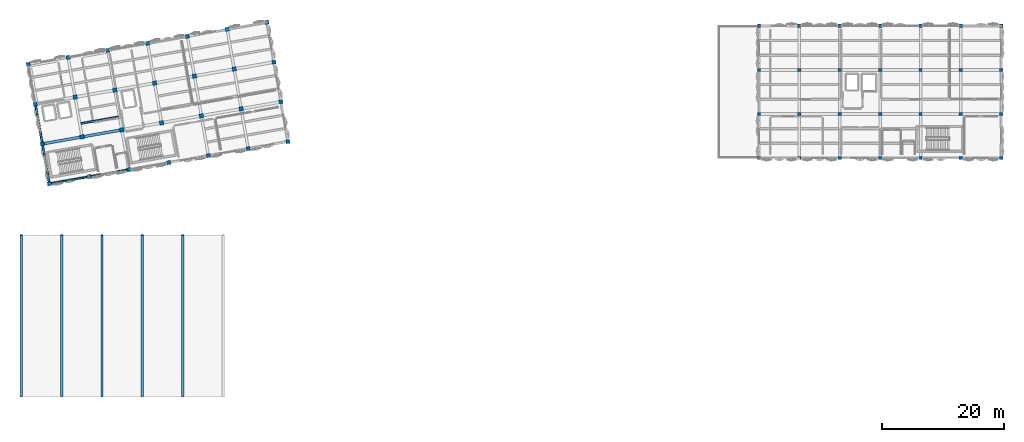
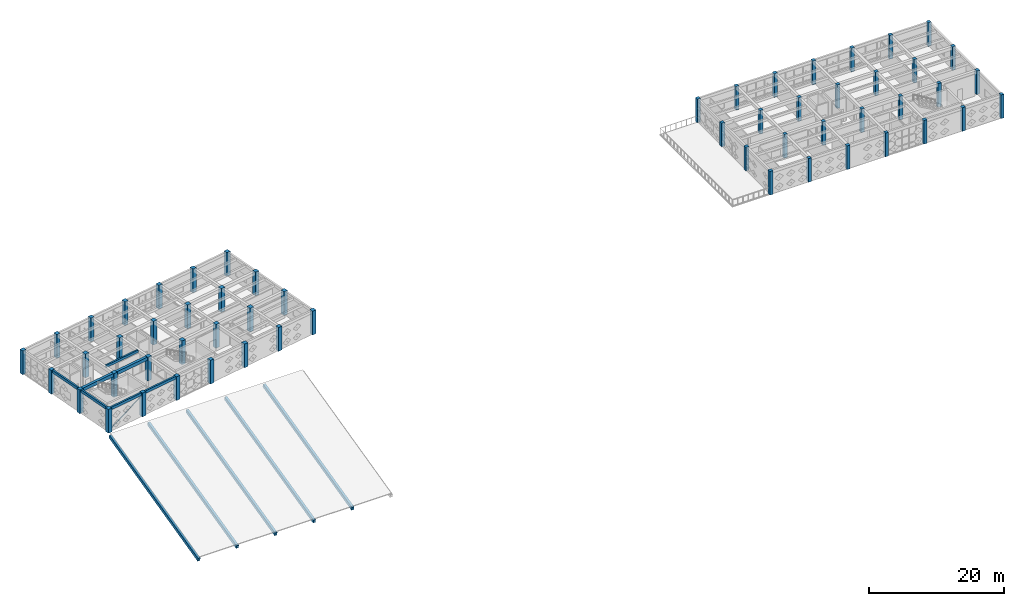
# One storey, part 1 of 39: 56 columns, 12 beams, 1 member.
"""IFC4 building model written with IfcOpenShell, lengths in metres."""

from ifc_helpers import new_model, si_unit, direction, frame, origin, origin_2d, place, context, subcontext, project, spatial, rectangle, hollow_circle, extrude, material, material_profile, profile_set, type_object, element, save


model = new_model("IFC4")

# Units and contexts
model_context = context("Model", 3, precision=1e-05, world=origin(), true_north=direction((0.0, 1.0)))
body_context = subcontext(model_context, "Body", "Model", "MODEL_VIEW")
ifc_project = project(units=[si_unit("LENGTHUNIT", "METRE"), si_unit("AREAUNIT", "SQUARE_METRE"), si_unit("VOLUMEUNIT", "CUBIC_METRE"), si_unit("PLANEANGLEUNIT", "RADIAN"), si_unit("MASSUNIT", "GRAM", prefix="KILO")], contexts=[model_context])

# Site, building, storey
site_placement = place(None, origin())
site = spatial("IfcSite", under=ifc_project, at=site_placement, CompositionType="ELEMENT")
building_placement = place(site_placement, origin())
building = spatial("IfcBuilding", under=site, at=building_placement, Name="Kharisveld Research Institute", CompositionType="ELEMENT")
storey_placement = place(building_placement, frame((0.0, 0.0, 23.10009765625)))
storey = spatial("IfcBuildingStorey", under=building, at=storey_placement, Name="L05", CompositionType="ELEMENT", Elevation=23.10009765625)

# Columns
ifc_material_1 = material(Name="Concrete C40/50", Category="concrete")
ifc_material_profile_1 = material_profile(ifc_material_1, rectangle(XDim=0.550048828125, YDim=0.550048828125, at=origin_2d()))
ifc_profile_set_1 = profile_set([ifc_material_profile_1], Name="Concrete C40/50")
column_type_1 = type_object("IfcColumnType", Name="COL_RC_550", PredefinedType="COLUMN", material=ifc_profile_set_1)
for number, where, z_axis, x_axis, name in (
    (1, (121.199951171875, 39.199951171875, 0.0), (0.0, 0.0, 1.0), (1.0, 0.0, 0.0), "COL:V2:L05:U1V0"),
    (2, (121.199951171875, 46.39990234375, 0.0), (0.0, 0.0, 1.0), (1.0, 0.0, 0.0), "COL:V2:L05:U1V1"),
    (3, (121.199951171875, 53.60009765625, 0.0), (0.0, 0.0, 1.0), (1.0, 0.0, 0.0), "COL:V2:L05:U1V2"),
    (4, (121.199951171875, 60.800048828125, 0.0), (0.0, 0.0, 1.0), (1.0, 0.0, 0.0), "COL:V2:L05:U1V3"),
    (5, (127.800048828125, 39.199951171875, 0.0), (0.0, 0.0, 1.0), (1.0, 0.0, 0.0), "COL:V2:L05:U2V0"),
    (6, (127.800048828125, 46.39990234375, 0.0), (0.0, 0.0, 1.0), (1.0, 0.0, 0.0), "COL:V2:L05:U2V1"),
    (7, (127.800048828125, 53.60009765625, 0.0), (0.0, 0.0, 1.0), (1.0, 0.0, 0.0), "COL:V2:L05:U2V2"),
    (8, (127.800048828125, 60.800048828125, 0.0), (0.0, 0.0, 1.0), (1.0, 0.0, 0.0), "COL:V2:L05:U2V3"),
    (9, (134.39990234375, 39.199951171875, 0.0), (0.0, 0.0, 1.0), (1.0, 0.0, 0.0), "COL:V2:L05:U3V0"),
    (10, (134.39990234375, 46.39990234375, 0.0), (0.0, 0.0, 1.0), (1.0, 0.0, 0.0), "COL:V2:L05:U3V1"),
    (11, (134.39990234375, 53.60009765625, 0.0), (0.0, 0.0, 1.0), (1.0, 0.0, 0.0), "COL:V2:L05:U3V2"),
    (12, (134.39990234375, 60.800048828125, 0.0), (0.0, 0.0, 1.0), (1.0, 0.0, 0.0), "COL:V2:L05:U3V3"),
    (13, (141.0, 39.199951171875, 0.0), (0.0, 0.0, 1.0), (1.0, 0.0, 0.0), "COL:V2:L05:U4V0"),
    (14, (141.0, 46.39990234375, 0.0), (0.0, 0.0, 1.0), (1.0, 0.0, 0.0), "COL:V2:L05:U4V1"),
    (15, (141.0, 53.60009765625, 0.0), (0.0, 0.0, 1.0), (1.0, 0.0, 0.0), "COL:V2:L05:U4V2"),
    (16, (141.0, 60.800048828125, 0.0), (0.0, 0.0, 1.0), (1.0, 0.0, 0.0), "COL:V2:L05:U4V3"),
    (17, (147.60009765625, 39.199951171875, 0.0), (0.0, 0.0, 1.0), (1.0, 0.0, 0.0), "COL:V2:L05:U5V0"),
    (18, (147.60009765625, 46.39990234375, 0.0), (0.0, 0.0, 1.0), (1.0, 0.0, 0.0), "COL:V2:L05:U5V1"),
    (19, (147.60009765625, 53.60009765625, 0.0), (0.0, 0.0, 1.0), (1.0, 0.0, 0.0), "COL:V2:L05:U5V2"),
    (20, (147.60009765625, 60.800048828125, 0.0), (0.0, 0.0, 1.0), (1.0, 0.0, 0.0), "COL:V2:L05:U5V3"),
    (21, (154.199951171875, 39.199951171875, 0.0), (0.0, 0.0, 1.0), (1.0, 0.0, 0.0), "COL:V2:L05:U6V0"),
    (22, (154.199951171875, 46.39990234375, 0.0), (0.0, 0.0, 1.0), (1.0, 0.0, 0.0), "COL:V2:L05:U6V1"),
    (23, (154.199951171875, 53.60009765625, 0.0), (0.0, 0.0, 1.0), (1.0, 0.0, 0.0), "COL:V2:L05:U6V2"),
    (24, (154.199951171875, 60.800048828125, 0.0), (0.0, 0.0, 1.0), (1.0, 0.0, 0.0), "COL:V2:L05:U6V3"),
    (25, (160.800048828125, 39.199951171875, 0.0), (0.0, 0.0, 1.0), (1.0, 0.0, 0.0), "COL:V2:L05:U7V0"),
    (26, (160.800048828125, 46.39990234375, 0.0), (0.0, 0.0, 1.0), (1.0, 0.0, 0.0), "COL:V2:L05:U7V1"),
    (27, (160.800048828125, 53.60009765625, 0.0), (0.0, 0.0, 1.0), (1.0, 0.0, 0.0), "COL:V2:L05:U7V2"),
    (28, (160.800048828125, 60.800048828125, 0.0), (0.0, 0.0, 1.0), (1.0, 0.0, 0.0), "COL:V2:L05:U7V3"),
):
    element("IfcColumn", number, at=place(storey_placement, frame(where, z_axis=z_axis, x_axis=x_axis)), inside=storey, type_object=column_type_1, Name=name, PredefinedType="COLUMN", context=body_context, shape_type="SweptSolid", body=[
        extrude(rectangle(XDim=0.550048828125, YDim=0.550048828125, at=origin_2d()), origin(), (0.0, 0.0, 1.0), 4.289794921875),
    ])
ifc_material_2 = material(Name="Concrete C40/50", Category="concrete")
ifc_material_profile_2 = material_profile(ifc_material_2, rectangle(XDim=0.64990234375, YDim=0.64990234375, at=origin_2d()))
ifc_profile_set_2 = profile_set([ifc_material_profile_2], Name="Concrete C40/50")
column_type_2 = type_object("IfcColumnType", Name="COL_RC_650", PredefinedType="COLUMN", material=ifc_profile_set_2)
for number, where, z_axis, x_axis, name in (
    (29, (5.199951171875, 35.010009765625, 0.0), (0.0, 0.0, 1.0), (0.984807753012, 0.173648177667, 0.0), "COL:V1:L05:U0V0"),
    (30, (4.053955078125, 41.509765625, 0.0), (0.0, 0.0, 1.0), (0.984807753012, 0.173648177667, 0.0), "COL:V1:L05:U0V1"),
    (31, (2.907958984375, 48.009521484375, 0.0), (0.0, 0.0, 1.0), (0.984807753012, 0.173648177667, 0.0), "COL:V1:L05:U0V2"),
    (32, (1.76171875, 54.50927734375, 0.0), (0.0, 0.0, 1.0), (0.984807753012, 0.173648177667, 0.0), "COL:V1:L05:U0V3"),
    (33, (11.69970703125, 36.156005859375, 0.0), (0.0, 0.0, 1.0), (0.984807753012, 0.173648177667, 0.0), "COL:V1:L05:U1V0"),
    (34, (8.261474609375, 55.6552734375, 0.0), (0.0, 0.0, 1.0), (0.984807753012, 0.173648177667, 0.0), "COL:V1:L05:U1V3"),
    (35, (18.199462890625, 37.30224609375, 0.0), (0.0, 0.0, 1.0), (0.984807753012, 0.173648177667, 0.0), "COL:V1:L05:U2V0"),
    (36, (14.76123046875, 56.80126953125, 0.0), (0.0, 0.0, 1.0), (0.984807753012, 0.173648177667, 0.0), "COL:V1:L05:U2V3"),
    (37, (24.69921875, 38.4482421875, 0.0), (0.0, 0.0, 1.0), (0.984807753012, 0.173648177667, 0.0), "COL:V1:L05:U3V0"),
    (38, (21.260986328125, 57.947509765625, 0.0), (0.0, 0.0, 1.0), (0.984807753012, 0.173648177667, 0.0), "COL:V1:L05:U3V3"),
    (39, (31.198974609375, 39.59423828125, 0.0), (0.0, 0.0, 1.0), (0.984807753012, 0.173648177667, 0.0), "COL:V1:L05:U4V0"),
    (40, (27.7607421875, 59.093505859375, 0.0), (0.0, 0.0, 1.0), (0.984807753012, 0.173648177667, 0.0), "COL:V1:L05:U4V3"),
    (41, (37.69873046875, 40.740478515625, 0.0), (0.0, 0.0, 1.0), (0.984807753012, 0.173648177667, 0.0), "COL:V1:L05:U5V0"),
    (42, (34.260498046875, 60.239501953125, 0.0), (0.0, 0.0, 1.0), (0.984807753012, 0.173648177667, 0.0), "COL:V1:L05:U5V3"),
    (43, (44.198486328125, 41.886474609375, 0.0), (0.0, 0.0, 1.0), (0.984807753012, 0.173648177667, 0.0), "COL:V1:L05:U6V0"),
    (44, (43.05224609375, 48.38623046875, 0.0), (0.0, 0.0, 1.0), (0.984807753012, 0.173648177667, 0.0), "COL:V1:L05:U6V1"),
    (45, (41.90625, 54.885986328125, 0.0), (0.0, 0.0, 1.0), (0.984807753012, 0.173648177667, 0.0), "COL:V1:L05:U6V2"),
    (46, (40.76025390625, 61.3857421875, 0.0), (0.0, 0.0, 1.0), (0.984807753012, 0.173648177667, 0.0), "COL:V1:L05:U6V3"),
):
    element("IfcColumn", number, at=place(storey_placement, frame(where, z_axis=z_axis, x_axis=x_axis)), inside=storey, type_object=column_type_2, Name=name, PredefinedType="COLUMN", context=body_context, shape_type="SweptSolid", body=[
        extrude(rectangle(XDim=0.64990234375, YDim=0.64990234375, at=origin_2d()), origin(), (0.0, 0.0, 1.0), 4.309814453125),
    ])
ifc_material_3 = material(Name="Concrete C40/50", Category="concrete")
ifc_material_profile_3 = material_profile(ifc_material_3, rectangle(XDim=0.699951171875, YDim=0.699951171875, at=origin_2d()))
ifc_profile_set_3 = profile_set([ifc_material_profile_3], Name="Concrete C40/50")
column_type_3 = type_object("IfcColumnType", Name="COL_RC_700", PredefinedType="COLUMN", material=ifc_profile_set_3)
for number, where, z_axis, x_axis, name in (
    (47, (10.5537109375, 42.65576171875, 0.0), (0.0, 0.0, 1.0), (0.984807753012, 0.173648177667, 0.0), "COL:V1:L05:U1V1"),
    (48, (9.407470703125, 49.155517578125, 0.0), (0.0, 0.0, 1.0), (0.984807753012, 0.173648177667, 0.0), "COL:V1:L05:U1V2"),
    (49, (17.053466796875, 43.802001953125, 0.0), (0.0, 0.0, 1.0), (0.984807753012, 0.173648177667, 0.0), "COL:V1:L05:U2V1"),
    (50, (15.9072265625, 50.301513671875, 0.0), (0.0, 0.0, 1.0), (0.984807753012, 0.173648177667, 0.0), "COL:V1:L05:U2V2"),
    (51, (23.55322265625, 44.947998046875, 0.0), (0.0, 0.0, 1.0), (0.984807753012, 0.173648177667, 0.0), "COL:V1:L05:U3V1"),
    (52, (22.406982421875, 51.44775390625, 0.0), (0.0, 0.0, 1.0), (0.984807753012, 0.173648177667, 0.0), "COL:V1:L05:U3V2"),
    (53, (30.052734375, 46.093994140625, 0.0), (0.0, 0.0, 1.0), (0.984807753012, 0.173648177667, 0.0), "COL:V1:L05:U4V1"),
    (54, (28.90673828125, 52.59375, 0.0), (0.0, 0.0, 1.0), (0.984807753012, 0.173648177667, 0.0), "COL:V1:L05:U4V2"),
    (55, (36.552490234375, 47.240234375, 0.0), (0.0, 0.0, 1.0), (0.984807753012, 0.173648177667, 0.0), "COL:V1:L05:U5V1"),
    (56, (35.406494140625, 53.73974609375, 0.0), (0.0, 0.0, 1.0), (0.984807753012, 0.173648177667, 0.0), "COL:V1:L05:U5V2"),
):
    element("IfcColumn", number, at=place(storey_placement, frame(where, z_axis=z_axis, x_axis=x_axis)), inside=storey, type_object=column_type_3, Name=name, PredefinedType="COLUMN", context=body_context, shape_type="SweptSolid", body=[
        extrude(rectangle(XDim=0.699951171875, YDim=0.699951171875, at=origin_2d()), origin(), (0.0, 0.0, 1.0), 4.309814453125),
    ])

# Beams
ifc_material_4 = material(Name="Concrete C40/50", Category="concrete")
ifc_material_profile_4 = material_profile(ifc_material_4, rectangle(XDim=0.39990234375, YDim=0.60009765625, at=origin_2d()))
ifc_profile_set_4 = profile_set([ifc_material_profile_4], Name="Concrete C40/50")
beam_type_1 = type_object("IfcBeamType", Name="BM_RC_400x600", PredefinedType="BEAM", material=ifc_profile_set_4)
for number, where, z_axis, x_axis, name in (
    (57, (0.60009765625, 0.199951171875, -0.4951171875), (0.0, 0.971851228127, 0.235595395516), (-1.0, 0.0, 0.0), "BM:V3:L05:RAFTER_0"),
    (58, (7.199951171875, 0.199951171875, -0.4951171875), (0.0, 0.971851228127, 0.235595395516), (-1.0, 0.0, 0.0), "BM:V3:L05:RAFTER_1"),
    (59, (13.800048828125, 0.199951171875, -0.4951171875), (0.0, 0.971851228127, 0.235595395516), (-1.0, 0.0, 0.0), "BM:V3:L05:RAFTER_2"),
    (60, (20.39990234375, 0.199951171875, -0.4951171875), (0.0, 0.971851228127, 0.235595395516), (-1.0, 0.0, 0.0), "BM:V3:L05:RAFTER_3"),
    (61, (27.0, 0.199951171875, -0.4951171875), (0.0, 0.971851228127, 0.235595395516), (-1.0, 0.0, 0.0), "BM:V3:L05:RAFTER_4"),
):
    element("IfcBeam", number, at=place(storey_placement, frame(where, z_axis=z_axis, x_axis=x_axis)), inside=storey, type_object=beam_type_1, Name=name, PredefinedType="BEAM", context=body_context, shape_type="SweptSolid", body=[
        extrude(rectangle(XDim=0.39990234375, YDim=0.60009765625, at=origin_2d()), origin(), (0.0, 0.0, 1.0), 27.164794921875),
    ])
ifc_material_5 = material(Name="Concrete C40/50", Category="concrete")
ifc_material_profile_5 = material_profile(ifc_material_5, rectangle(XDim=0.449951171875, YDim=0.60009765625, at=origin_2d()))
ifc_profile_set_5 = profile_set([ifc_material_profile_5], Name="Concrete C40/50")
beam_type_2 = type_object("IfcBeamType", Name="BM_RC_450x600", PredefinedType="BEAM", material=ifc_profile_set_5)
beam_1_placement = place(storey_placement, frame((4.3740234375, 41.566162109375, 4.010009765625), z_axis=(0.984809266846, 0.173639592071, 0.0), x_axis=(-0.173639592071, 0.984809266846, 0.0)))
element("IfcBeam", 62, at=beam_1_placement, inside=storey, type_object=beam_type_2, Name="BM:V1:L05:U0_1", PredefinedType="BEAM", context=body_context, shape_type="SweptSolid", body=[
    extrude(rectangle(XDim=0.449951171875, YDim=0.60009765625, at=origin_2d()), origin(), (0.0, 0.0, 1.0), 5.925048828125),
])
beam_2_placement = place(storey_placement, frame((10.8984375, 42.716552734375, 4.010009765625), z_axis=(0.984803548023, 0.173672023659, 0.0), x_axis=(-0.173672023659, 0.984803548023, 0.0)))
element("IfcBeam", 63, at=beam_2_placement, inside=storey, type_object=beam_type_2, Name="BM:V1:L05:U1_1", PredefinedType="BEAM", context=body_context, shape_type="SweptSolid", body=[
    extrude(rectangle(XDim=0.449951171875, YDim=0.60009765625, at=origin_2d()), origin(), (0.0, 0.0, 1.0), 5.89990234375),
])

# Member
ifc_material_6 = material(Name="Steel S355J2H", Category="steel")
ifc_material_profile_6 = material_profile(ifc_material_6, hollow_circle(Radius=0.084228515625, WallThickness=0.008056640625, at=origin_2d()))
ifc_profile_set_6 = profile_set([ifc_material_profile_6], Name="Steel S355J2H")
member_type = type_object("IfcMemberType", Name="BR_CHS168", PredefinedType="BRACE", material=ifc_profile_set_6)
member_placement = place(storey_placement, frame((5.298583984375, 35.02734375, 0.199951171875), z_axis=(0.860618785546, 0.151748400674, 0.486114933794), x_axis=(-0.173646056486, 0.984808127031, 0.0)))
element("IfcMember", 64, at=member_placement, inside=storey, type_object=member_type, Name="MEM:V1:L05:BR_0_0", PredefinedType="BRACE", context=body_context, shape_type="SweptSolid", body=[
    extrude(hollow_circle(Radius=0.084228515625, WallThickness=0.008056640625, at=origin_2d()), origin(), (0.0, 0.0, 1.0), 7.323486328125),
])

# Beams
ifc_material_7 = material(Name="Concrete C40/50", Category="concrete")
ifc_material_profile_7 = material_profile(ifc_material_7, rectangle(XDim=0.300048828125, YDim=0.5, at=origin_2d()))
ifc_profile_set_7 = profile_set([ifc_material_profile_7], Name="Concrete C40/50")
beam_type_3 = type_object("IfcBeamType", Name="SP_RC_300x500", PredefinedType="SPANDREL", material=ifc_profile_set_7)
for number, where, z_axis, x_axis, name in (
    (65, (5.52001953125, 35.06640625, 4.059814453125), (0.984807920462, 0.173647228007, 0.0), (-0.173647228007, 0.984807920462, 0.0), "BM:V1:L05:U0_0"),
    (66, (12.019775390625, 36.21240234375, 4.059814453125), (0.984807920462, 0.173647228007, 0.0), (-0.173647228007, 0.984807920462, 0.0), "BM:V1:L05:U1_0"),
    (67, (5.1435546875, 35.330078125, 4.059814453125), (-0.173647228007, 0.984807920462, 0.0), (-0.984807920462, -0.173647228007, 0.0), "BM:V1:L05:V0_0"),
    (68, (3.99755859375, 41.829833984375, 4.059814453125), (-0.173647228007, 0.984807920462, 0.0), (-0.984807920462, -0.173647228007, 0.0), "BM:V1:L05:V0_1"),
):
    element("IfcBeam", number, at=place(storey_placement, frame(where, z_axis=z_axis, x_axis=x_axis)), inside=storey, type_object=beam_type_3, Name=name, PredefinedType="SPANDREL", context=body_context, shape_type="SweptSolid", body=[
        extrude(rectangle(XDim=0.300048828125, YDim=0.5, at=origin_2d()), origin(), (0.0, 0.0, 1.0), 5.949951171875),
    ])
ifc_material_8 = material(Name="Concrete C40/50", Category="concrete")
ifc_material_profile_8 = material_profile(ifc_material_8, rectangle(XDim=0.280029296875, YDim=0.449951171875, at=origin_2d()))
ifc_profile_set_8 = profile_set([ifc_material_profile_8], Name="Concrete C40/50")
beam_type_4 = type_object("IfcBeamType", Name="WB_RC_280x450", PredefinedType="JOIST", material=ifc_profile_set_8)
beam_3_placement = place(storey_placement, frame((10.36865234375, 44.857177734375, 4.0849609375), z_axis=(0.984806146634, 0.173657287643, 0.0), x_axis=(-0.173657287643, 0.984806146634, 0.0)))
element("IfcBeam", 69, at=beam_3_placement, inside=storey, type_object=beam_type_4, Name="BM:V1:L05:J_1_1_R1", PredefinedType="JOIST", context=body_context, shape_type="SweptSolid", body=[
    extrude(rectangle(XDim=0.280029296875, YDim=0.449951171875, at=origin_2d()), origin(), (0.0, 0.0, 1.0), 6.199951171875),
])

save(model, "model.ifc")
